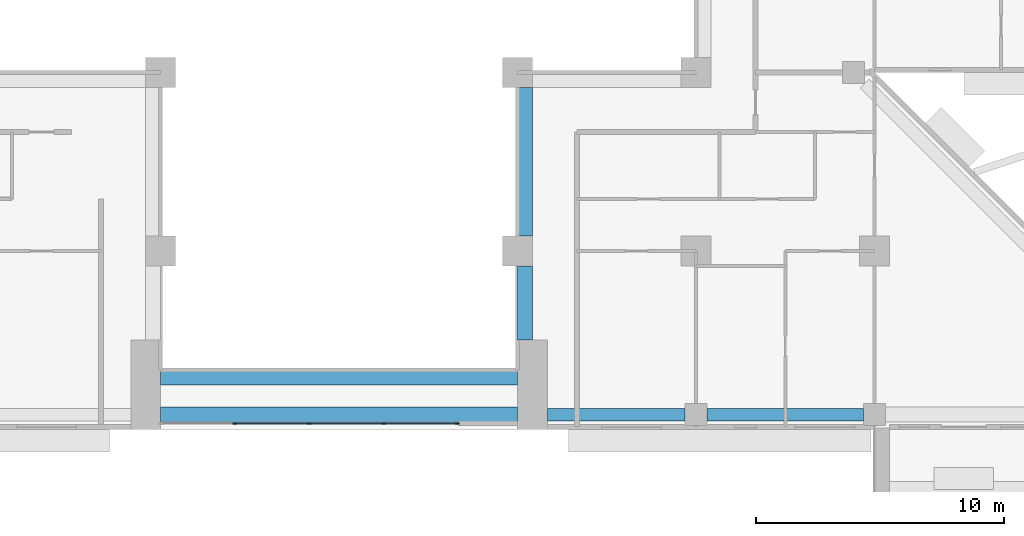
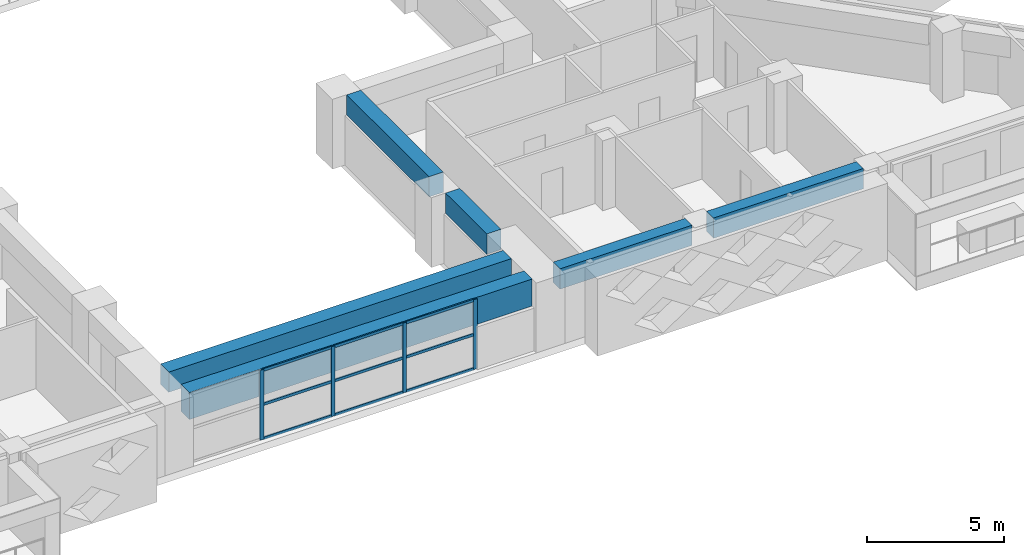
# One storey, part 4 of 17: 13 members, 6 beams, 1 element without a shape of its own.
"""IFC4 building model written with IfcOpenShell, lengths in metres."""

from ifc_helpers import new_model, si_unit, direction, frame, origin, origin_2d, place, context, subcontext, project, spatial, rectangle, extrude, source, transform, mapped, material, layer, layer_set, material_profile, profile_set, type_object, element, aggregate, save


model = new_model("IFC4")

# Units and contexts
model_context = context("Model", 3, precision=1e-05, world=origin(), true_north=direction((0.0, 1.0)))
body_context = subcontext(model_context, "Body", "Model", "MODEL_VIEW")
ifc_project = project(units=[si_unit("LENGTHUNIT", "METRE"), si_unit("AREAUNIT", "SQUARE_METRE"), si_unit("VOLUMEUNIT", "CUBIC_METRE"), si_unit("PLANEANGLEUNIT", "RADIAN"), si_unit("MASSUNIT", "GRAM", prefix="KILO")], contexts=[model_context])

# Site, building, storey
site_placement = place(None, origin())
site = spatial("IfcSite", under=ifc_project, at=site_placement, CompositionType="ELEMENT")
building_placement = place(site_placement, origin())
building = spatial("IfcBuilding", under=site, at=building_placement, Name="Saffron Iwan Residences", CompositionType="ELEMENT")
storey_placement = place(building_placement, frame((0.0, 0.0, 104.0)))
storey = spatial("IfcBuildingStorey", under=building, at=storey_placement, Name="L27", CompositionType="ELEMENT", Elevation=104.0)

# Beams
ifc_material_1 = material(Name="Concrete C60/75", Category="concrete")
ifc_material_profile_1 = material_profile(ifc_material_1, rectangle(XDim=0.5, YDim=0.89990234375, at=origin_2d()), Name="RC 500x900")
ifc_profile_set_1 = profile_set([ifc_material_profile_1], Name="Concrete C60/75")
beam_type_1 = type_object("IfcBeamType", Name="SPANDREL BEAM RC 500x900 C60/75 TOP 3100", PredefinedType="SPANDREL", material=ifc_profile_set_1)
shared_shape_1 = source(origin(), body_context, "Body", "SweptSolid", [
    extrude(rectangle(XDim=0.5, YDim=0.89990234375, at=origin_2d()), origin(), (0.0, 0.0, 1.0), 6.300048828125),
])
beam_1_placement = place(storey_placement, frame((71.550048828125, 34.199951171875, 2.64990234375), z_axis=(-1.0, 0.0, 0.0), x_axis=(0.0, -1.0, 0.0)))
element("IfcBeam", 1, at=beam_1_placement, inside=storey, type_object=beam_type_1, Name="Spandrel beam", PredefinedType="SPANDREL", context=body_context, shape_type="MappedRepresentation", body=[
    mapped(shared_shape_1, transform((0.0, 0.0, 0.0))),
])
shared_shape_2 = source(origin(), body_context, "Body", "SweptSolid", [
    extrude(rectangle(XDim=0.5, YDim=0.89990234375, at=origin_2d()), origin(), (0.0, 0.0, 1.0), 5.550048828125),
])
beam_2_placement = place(storey_placement, frame((64.35009765625, 34.199951171875, 2.64990234375), z_axis=(-1.0, 0.0, 0.0), x_axis=(0.0, -1.0, 0.0)))
element("IfcBeam", 2, at=beam_2_placement, inside=storey, type_object=beam_type_1, Name="Spandrel beam", PredefinedType="SPANDREL", context=body_context, shape_type="MappedRepresentation", body=[
    mapped(shared_shape_2, transform((0.0, 0.0, 0.0))),
])
ifc_material_profile_2 = material_profile(ifc_material_1, rectangle(XDim=0.60009765625, YDim=1.199951171875, at=origin_2d()), Name="RC 600x1200")
ifc_profile_set_2 = profile_set([ifc_material_profile_2], Name="Concrete C60/75")
beam_type_2 = type_object("IfcBeamType", Name="LINTEL BEAM RC 600x1200 C60/75 TOP 3100", PredefinedType="LINTEL", material=ifc_profile_set_2)
shared_shape_3 = source(origin(), body_context, "Body", "SweptSolid", [
    extrude(rectangle(XDim=0.60009765625, YDim=1.199951171875, at=origin_2d()), origin(), (0.0, 0.0, 1.0), 14.400146484375),
])
beam_3_placement = place(storey_placement, frame((57.60009765625, 34.199951171875, 2.5), z_axis=(-1.0, 0.0, 0.0), x_axis=(0.0, -1.0, 0.0)))
element("IfcBeam", 3, at=beam_3_placement, inside=storey, type_object=beam_type_2, Name="Lintel beam over the iwan", PredefinedType="LINTEL", context=body_context, shape_type="MappedRepresentation", body=[
    mapped(shared_shape_3, transform((0.0, 0.0, 0.0))),
])
ifc_material_profile_3 = material_profile(ifc_material_1, rectangle(XDim=0.60009765625, YDim=0.89990234375, at=origin_2d()), Name="RC 600x900")
ifc_profile_set_3 = profile_set([ifc_material_profile_3], Name="Concrete C60/75")
beam_type_3 = type_object("IfcBeamType", Name="BEAM RC 600x900 C60/75 TOP 3100", PredefinedType="BEAM", material=ifc_profile_set_3)
shared_shape_4 = source(origin(), body_context, "Body", "SweptSolid", [
    extrude(rectangle(XDim=0.60009765625, YDim=0.89990234375, at=origin_2d()), origin(), (0.0, 0.0, 1.0), 14.400146484375),
])
beam_4_placement = place(storey_placement, frame((57.60009765625, 35.699951171875, 2.64990234375), z_axis=(-1.0, 0.0, 0.0), x_axis=(0.0, -1.0, 0.0)))
element("IfcBeam", 4, at=beam_4_placement, inside=storey, type_object=beam_type_3, Name="Atrium edge beam", PredefinedType="BEAM", context=body_context, shape_type="MappedRepresentation", body=[
    mapped(shared_shape_4, transform((0.0, 0.0, 0.0))),
])
shared_shape_5 = source(origin(), body_context, "Body", "SweptSolid", [
    extrude(rectangle(XDim=0.60009765625, YDim=0.89990234375, at=origin_2d()), origin(), (0.0, 0.0, 1.0), 3.0),
])
beam_5_placement = place(storey_placement, frame((57.89990234375, 40.199951171875, 2.64990234375), z_axis=(0.0, -1.0, 0.0), x_axis=(1.0, 0.0, 0.0)))
element("IfcBeam", 5, at=beam_5_placement, inside=storey, type_object=beam_type_3, Name="Atrium edge beam", PredefinedType="BEAM", context=body_context, shape_type="MappedRepresentation", body=[
    mapped(shared_shape_5, transform((0.0, 0.0, 0.0))),
])
shared_shape_6 = source(origin(), body_context, "Body", "SweptSolid", [
    extrude(rectangle(XDim=0.60009765625, YDim=0.89990234375, at=origin_2d()), origin(), (0.0, 0.0, 1.0), 6.0),
])
beam_6_placement = place(storey_placement, frame((57.89990234375, 47.39990234375, 2.64990234375), z_axis=(0.0, -1.0, 0.0), x_axis=(1.0, 0.0, 0.0)))
element("IfcBeam", 6, at=beam_6_placement, inside=storey, type_object=beam_type_3, Name="Atrium edge beam", PredefinedType="BEAM", context=body_context, shape_type="MappedRepresentation", body=[
    mapped(shared_shape_6, transform((0.0, 0.0, 0.0))),
])

# Curtain wall, members
ifc_material_2 = material(Name="Clear glass, laminated double glazed", Category="glass")
ifc_layer = layer(ifc_material_2, 0.199951171875)
ifc_layer_set = layer_set([ifc_layer], Name="Clear glass, laminated double glazed")
curtain_wall_type = type_object("IfcCurtainWallType", Name="CW-B IWAN PORTAL", PredefinedType="NOTDEFINED", material=ifc_layer_set)
curtain_wall_placement = place(storey_placement, origin())
curtain_wall = element("IfcCurtainWall", 7, at=curtain_wall_placement, inside=storey, type_object=curtain_wall_type, Name="Iwan portal glazing L27.1", PredefinedType="NOTDEFINED")
ifc_material_3 = material(Name="Aluminium 6063-T6", Category="aluminium")
ifc_material_profile_4 = material_profile(ifc_material_3, rectangle(XDim=0.06005859375, YDim=0.1201171875, at=origin_2d()), Name="CW-B TRANSOM 60 x 120")
ifc_profile_set_4 = profile_set([ifc_material_profile_4], Name="Aluminium 6063-T6")
member_type_1 = type_object("IfcMemberType", Name="CW-B TRANSOM 60 x 120", PredefinedType="USERDEFINED", material=ifc_profile_set_4)
shared_shape_7 = source(origin(), body_context, "Body", "SweptSolid", [
    extrude(rectangle(XDim=0.06005859375, YDim=0.1201171875, at=origin_2d()), origin(), (0.0, 0.0, 1.0), 2.909912109375),
])
member_1_placement = place(storey_placement, frame((52.22998046875, 33.85009765625, 0.030029296875), z_axis=(1.0, 0.0, 0.0), x_axis=(0.0, 1.0, 0.0)))
member_1 = element("IfcMember", 8, at=member_1_placement, type_object=member_type_1, Name="CW-B transom 4.1", ObjectType="TRANSOM", PredefinedType="USERDEFINED", context=body_context, shape_type="MappedRepresentation", body=[
    mapped(shared_shape_7, transform((0.0, 0.0, 0.0))),
])
member_2_placement = place(storey_placement, frame((52.22998046875, 33.85009765625, 1.550048828125), z_axis=(1.0, 0.0, 0.0), x_axis=(0.0, 1.0, 0.0)))
member_2 = element("IfcMember", 9, at=member_2_placement, type_object=member_type_1, Name="CW-B transom 4.2", ObjectType="TRANSOM", PredefinedType="USERDEFINED", context=body_context, shape_type="MappedRepresentation", body=[
    mapped(shared_shape_7, transform((0.0, 0.0, 0.0))),
])
member_3_placement = place(storey_placement, frame((52.22998046875, 33.85009765625, 3.070068359375), z_axis=(1.0, 0.0, 0.0), x_axis=(0.0, 1.0, 0.0)))
member_3 = element("IfcMember", 10, at=member_3_placement, type_object=member_type_1, Name="CW-B transom 4.3", ObjectType="TRANSOM", PredefinedType="USERDEFINED", context=body_context, shape_type="MappedRepresentation", body=[
    mapped(shared_shape_7, transform((0.0, 0.0, 0.0))),
])
shared_shape_8 = source(origin(), body_context, "Body", "SweptSolid", [
    extrude(rectangle(XDim=0.06005859375, YDim=0.1201171875, at=origin_2d()), origin(), (0.0, 0.0, 1.0), 2.93994140625),
])
member_4_placement = place(storey_placement, frame((46.22998046875, 33.85009765625, 0.030029296875), z_axis=(1.0, 0.0, 0.0), x_axis=(0.0, 1.0, 0.0)))
member_4 = element("IfcMember", 11, at=member_4_placement, type_object=member_type_1, Name="CW-B transom 2.1", ObjectType="TRANSOM", PredefinedType="USERDEFINED", context=body_context, shape_type="MappedRepresentation", body=[
    mapped(shared_shape_8, transform((0.0, 0.0, 0.0))),
])
member_5_placement = place(storey_placement, frame((46.22998046875, 33.85009765625, 1.550048828125), z_axis=(1.0, 0.0, 0.0), x_axis=(0.0, 1.0, 0.0)))
member_5 = element("IfcMember", 12, at=member_5_placement, type_object=member_type_1, Name="CW-B transom 2.2", ObjectType="TRANSOM", PredefinedType="USERDEFINED", context=body_context, shape_type="MappedRepresentation", body=[
    mapped(shared_shape_8, transform((0.0, 0.0, 0.0))),
])
member_6_placement = place(storey_placement, frame((46.22998046875, 33.85009765625, 3.070068359375), z_axis=(1.0, 0.0, 0.0), x_axis=(0.0, 1.0, 0.0)))
member_6 = element("IfcMember", 13, at=member_6_placement, type_object=member_type_1, Name="CW-B transom 2.3", ObjectType="TRANSOM", PredefinedType="USERDEFINED", context=body_context, shape_type="MappedRepresentation", body=[
    mapped(shared_shape_8, transform((0.0, 0.0, 0.0))),
])
member_7_placement = place(storey_placement, frame((49.22998046875, 33.85009765625, 0.030029296875), z_axis=(1.0, 0.0, 0.0), x_axis=(0.0, 1.0, 0.0)))
member_7 = element("IfcMember", 14, at=member_7_placement, type_object=member_type_1, Name="CW-B transom 3.1", ObjectType="TRANSOM", PredefinedType="USERDEFINED", context=body_context, shape_type="MappedRepresentation", body=[
    mapped(shared_shape_8, transform((0.0, 0.0, 0.0))),
])
member_8_placement = place(storey_placement, frame((49.22998046875, 33.85009765625, 1.550048828125), z_axis=(1.0, 0.0, 0.0), x_axis=(0.0, 1.0, 0.0)))
member_8 = element("IfcMember", 15, at=member_8_placement, type_object=member_type_1, Name="CW-B transom 3.2", ObjectType="TRANSOM", PredefinedType="USERDEFINED", context=body_context, shape_type="MappedRepresentation", body=[
    mapped(shared_shape_8, transform((0.0, 0.0, 0.0))),
])
member_9_placement = place(storey_placement, frame((49.22998046875, 33.85009765625, 3.070068359375), z_axis=(1.0, 0.0, 0.0), x_axis=(0.0, 1.0, 0.0)))
member_9 = element("IfcMember", 16, at=member_9_placement, type_object=member_type_1, Name="CW-B transom 3.3", ObjectType="TRANSOM", PredefinedType="USERDEFINED", context=body_context, shape_type="MappedRepresentation", body=[
    mapped(shared_shape_8, transform((0.0, 0.0, 0.0))),
])
ifc_material_profile_5 = material_profile(ifc_material_3, rectangle(XDim=0.06005859375, YDim=0.159912109375, at=origin_2d()), Name="CW-B MULLION 60 x 160")
ifc_profile_set_5 = profile_set([ifc_material_profile_5], Name="Aluminium 6063-T6")
member_type_2 = type_object("IfcMemberType", Name="CW-B MULLION 60 x 160", PredefinedType="MULLION", material=ifc_profile_set_5)
shared_shape_9 = source(origin(), body_context, "Body", "SweptSolid", [
    extrude(rectangle(XDim=0.06005859375, YDim=0.159912109375, at=origin_2d()), origin(), (0.0, 0.0, 1.0), 3.10009765625),
])
member_10_placement = place(storey_placement, frame((46.199951171875, 33.85009765625, 0.0), z_axis=(0.0, 0.0, 1.0), x_axis=(0.0, 1.0, 0.0)))
member_10 = element("IfcMember", 17, at=member_10_placement, type_object=member_type_2, Name="CW-B mullion 2", PredefinedType="MULLION", context=body_context, shape_type="MappedRepresentation", body=[
    mapped(shared_shape_9, transform((0.0, 0.0, 0.0))),
])
member_11_placement = place(storey_placement, frame((49.199951171875, 33.85009765625, 0.0), z_axis=(0.0, 0.0, 1.0), x_axis=(0.0, 1.0, 0.0)))
member_11 = element("IfcMember", 18, at=member_11_placement, type_object=member_type_2, Name="CW-B mullion 3", PredefinedType="MULLION", context=body_context, shape_type="MappedRepresentation", body=[
    mapped(shared_shape_9, transform((0.0, 0.0, 0.0))),
])
member_12_placement = place(storey_placement, frame((52.199951171875, 33.85009765625, 0.0), z_axis=(0.0, 0.0, 1.0), x_axis=(0.0, 1.0, 0.0)))
member_12 = element("IfcMember", 19, at=member_12_placement, type_object=member_type_2, Name="CW-B mullion 4", PredefinedType="MULLION", context=body_context, shape_type="MappedRepresentation", body=[
    mapped(shared_shape_9, transform((0.0, 0.0, 0.0))),
])
member_13_placement = place(storey_placement, frame((55.169921875, 33.85009765625, 0.0), z_axis=(0.0, 0.0, 1.0), x_axis=(0.0, 1.0, 0.0)))
member_13 = element("IfcMember", 20, at=member_13_placement, type_object=member_type_2, Name="CW-B mullion 5", PredefinedType="MULLION", context=body_context, shape_type="MappedRepresentation", body=[
    mapped(shared_shape_9, transform((0.0, 0.0, 0.0))),
])
aggregate(curtain_wall, [member_10, member_11, member_12, member_13, member_4, member_5, member_6, member_7, member_8, member_9, member_1, member_2, member_3])

save(model, "model.ifc")
